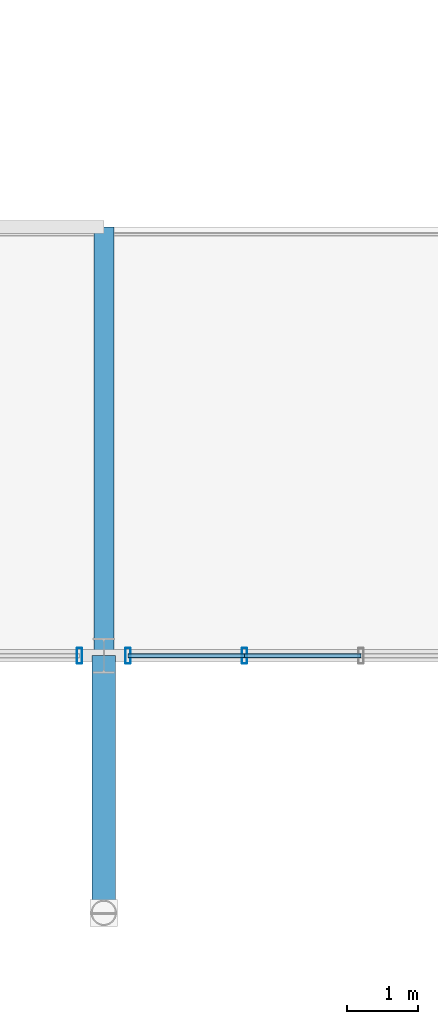
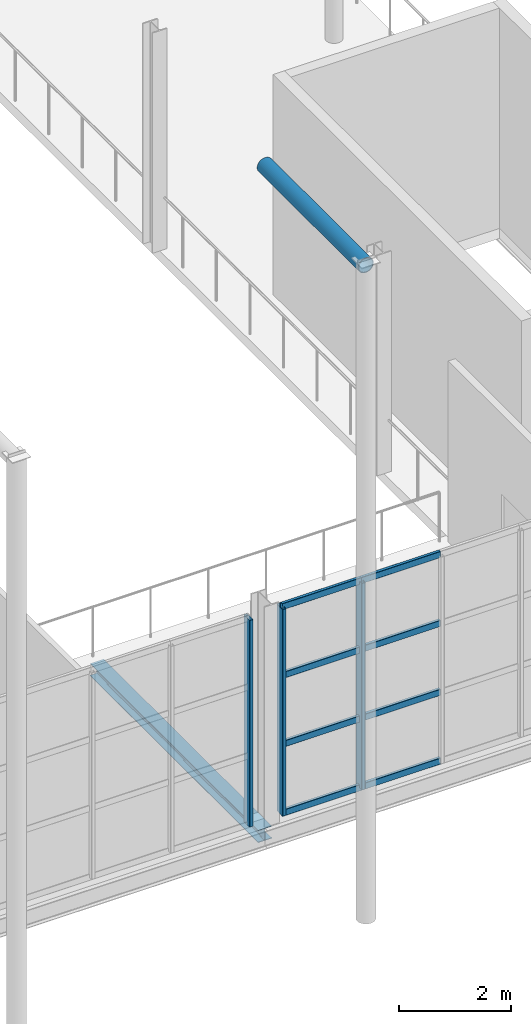
# One storey, part 32 of 143: 11 members, 2 beams, 2 elements without a shape of their own.
"""IFC4 building model written with IfcOpenShell, lengths in metres."""

from ifc_helpers import new_model, si_unit, derived_unit, direction, frame, origin, origin_2d, place, context, subcontext, project, spatial, hollow_rectangle, hollow_circle, i_section, extrude, material, material_profile, profile_set, type_object, element, aggregate, save


model = new_model("IFC4")

# Units and contexts
model_context = context("Model", 3, precision=1e-05, world=origin(), true_north=direction((0.0, 1.0)))
body_context = subcontext(model_context, "Body", "Model", "MODEL_VIEW")
ifc_project = project(units=[si_unit("LENGTHUNIT", "METRE"), si_unit("AREAUNIT", "SQUARE_METRE"), si_unit("VOLUMEUNIT", "CUBIC_METRE"), si_unit("PLANEANGLEUNIT", "RADIAN"), si_unit("MASSUNIT", "GRAM", prefix="KILO"), derived_unit("THERMALTRANSMITTANCEUNIT", [(si_unit("POWERUNIT", "WATT"), 1), (si_unit("LENGTHUNIT", "METRE"), -2), (si_unit("THERMODYNAMICTEMPERATUREUNIT", "KELVIN"), -1)])], contexts=[model_context])

# Site, building, storey
site_placement = place(None, origin())
site = spatial("IfcSite", under=ifc_project, at=site_placement, CompositionType="ELEMENT")
building_placement = place(site_placement, origin())
building = spatial("IfcBuilding", under=site, at=building_placement, Name="Keldorne Ridge Multi-Sports Centre", CompositionType="ELEMENT")
storey_placement = place(building_placement, frame((0.0, 0.0, 4.800048828125)))
storey = spatial("IfcBuildingStorey", under=building, at=storey_placement, Name="L01", CompositionType="ELEMENT", Elevation=4.800048828125)

# Beams
ifc_material_1 = material(Name="Steel S355", Category="steel")
ifc_material_profile_1 = material_profile(ifc_material_1, hollow_circle(Radius=0.161865234375, WallThickness=0.01611328125, at=origin_2d()), Name="CHS 323.9x16")
ifc_profile_set_1 = profile_set([ifc_material_profile_1], Name="Steel S355")
beam_type_1 = type_object("IfcBeamType", Name="BM-B-19", PredefinedType="BEAM", material=ifc_profile_set_1)
beam_1_placement = place(storey_placement, frame((70.800048828125, 9.60009765625, 14.22998046875), z_axis=(0.0, -1.0, 0.0), x_axis=(1.0, 0.0, 0.0)))
element("IfcBeam", 1, at=beam_1_placement, inside=storey, type_object=beam_type_1, Name="Colonnade eave rafter 10", PredefinedType="BEAM", context=body_context, shape_type="SweptSolid", body=[
    extrude(hollow_circle(Radius=0.161865234375, WallThickness=0.01611328125, at=origin_2d()), origin(), (0.0, 0.0, 1.0), 3.60009765625),
])
ifc_material_profile_2 = material_profile(ifc_material_1, i_section(OverallWidth=0.280029296875, OverallDepth=0.27001953125, WebThickness=0.008056640625, FlangeThickness=0.012939453125, FilletRadius=0.02392578125, at=origin_2d()), Name="HEA 280")
ifc_profile_set_2 = profile_set([ifc_material_profile_2], Name="Steel S355")
beam_type_2 = type_object("IfcBeamType", Name="BM-J-05", PredefinedType="JOIST", material=ifc_profile_set_2)
beam_2_placement = place(storey_placement, frame((70.800048828125, 9.60009765625, -0.35498046875), z_axis=(0.0, 1.0, 0.0), x_axis=(-1.0, 0.0, 0.0)))
element("IfcBeam", 2, at=beam_2_placement, inside=storey, type_object=beam_type_2, Name="L01 mezzanine cross beam 10", PredefinedType="JOIST", context=body_context, shape_type="SweptSolid", body=[
    extrude(i_section(OverallWidth=0.280029296875, OverallDepth=0.27001953125, WebThickness=0.008056640625, FlangeThickness=0.012939453125, FilletRadius=0.02392578125, at=origin_2d()), origin(), (0.0, 0.0, 1.0), 6.0),
])

# Curtain wall, member
ifc_material_2 = material(Name="Anodized aluminium", Category="aluminium")
curtain_wall_type_1 = type_object("IfcCurtainWallType", Name="CW-CW-07", PredefinedType="NOTDEFINED", material=ifc_material_2)
curtain_wall_1_placement = place(storey_placement, origin())
curtain_wall_1 = element("IfcCurtainWall", 3, at=curtain_wall_1_placement, inside=storey, type_object=curtain_wall_type_1, Name="Main Hall south mezzanine curtain wall 023", PredefinedType="NOTDEFINED")
ifc_material_profile_3 = material_profile(ifc_material_2, hollow_rectangle(XDim=0.074951171875, YDim=0.219970703125, WallThickness=0.0048828125, InnerFilletRadius=0.0048828125, OuterFilletRadius=0.010009765625, at=origin_2d()), Name="ALU MULLION 220x75x5")
ifc_profile_set_3 = profile_set([ifc_material_profile_3], Name="Anodized aluminium")
member_type_1 = type_object("IfcMemberType", Name="MEM-ML-02", PredefinedType="MULLION", material=ifc_profile_set_3)
member_1_placement = place(storey_placement, frame((70.4599609375, 9.60009765625, 0.0), z_axis=(0.0, 0.0, 1.0), x_axis=(1.0, 0.0, 0.0)))
member_1 = element("IfcMember", 4, at=member_1_placement, type_object=member_type_1, Name="CW-023 vertical mullion 5", PredefinedType="MULLION", context=body_context, shape_type="SweptSolid", body=[
    extrude(hollow_rectangle(XDim=0.074951171875, YDim=0.219970703125, WallThickness=0.0048828125, InnerFilletRadius=0.0048828125, OuterFilletRadius=0.010009765625, at=origin_2d()), origin(), (0.0, 0.0, 1.0), 4.5),
])
aggregate(curtain_wall_1, [member_1])

# Curtain wall, members
curtain_wall_type_2 = type_object("IfcCurtainWallType", Name="CW-CW-02", PredefinedType="NOTDEFINED", material=ifc_material_2)
curtain_wall_2_placement = place(storey_placement, origin())
curtain_wall_2 = element("IfcCurtainWall", 5, at=curtain_wall_2_placement, inside=storey, type_object=curtain_wall_type_2, Name="Main Hall south mezzanine curtain wall 026", PredefinedType="NOTDEFINED")
member_2_placement = place(storey_placement, frame((71.139892578125, 9.60009765625, 0.0), z_axis=(0.0, 0.0, 1.0), x_axis=(1.0, 0.0, 0.0)))
member_2 = element("IfcMember", 6, at=member_2_placement, type_object=member_type_1, Name="CW-026 vertical mullion 1", PredefinedType="MULLION", context=body_context, shape_type="SweptSolid", body=[
    extrude(hollow_rectangle(XDim=0.074951171875, YDim=0.219970703125, WallThickness=0.0048828125, InnerFilletRadius=0.0048828125, OuterFilletRadius=0.010009765625, at=origin_2d()), origin(), (0.0, 0.0, 1.0), 4.5),
])
member_3_placement = place(storey_placement, frame((72.77001953125, 9.60009765625, 0.0), z_axis=(0.0, 0.0, 1.0), x_axis=(1.0, 0.0, 0.0)))
member_3 = element("IfcMember", 7, at=member_3_placement, type_object=member_type_1, Name="CW-026 vertical mullion 2", PredefinedType="MULLION", context=body_context, shape_type="SweptSolid", body=[
    extrude(hollow_rectangle(XDim=0.074951171875, YDim=0.219970703125, WallThickness=0.0048828125, InnerFilletRadius=0.0048828125, OuterFilletRadius=0.010009765625, at=origin_2d()), origin(), (0.0, 0.0, 1.0), 4.5),
])
ifc_material_profile_4 = material_profile(ifc_material_2, hollow_rectangle(XDim=0.06494140625, YDim=0.139892578125, WallThickness=0.00439453125, InnerFilletRadius=0.00439453125, OuterFilletRadius=0.009033203125, at=origin_2d()), Name="ALU TRANSOM 140x65x4.5")
ifc_profile_set_4 = profile_set([ifc_material_profile_4], Name="Anodized aluminium")
member_type_2 = type_object("IfcMemberType", Name="MEM-TR-01", PredefinedType="USERDEFINED", material=ifc_profile_set_4)
member_4_placement = place(storey_placement, frame((71.139892578125, 9.60009765625, 0.0), z_axis=(1.0, 0.0, 0.0), x_axis=(0.0, 1.0, 0.0)))
member_4 = element("IfcMember", 8, at=member_4_placement, type_object=member_type_2, Name="CW-026 transom 1.1", ObjectType="TRANSOM", PredefinedType="USERDEFINED", context=body_context, shape_type="SweptSolid", body=[
    extrude(hollow_rectangle(XDim=0.06494140625, YDim=0.139892578125, WallThickness=0.00439453125, InnerFilletRadius=0.00439453125, OuterFilletRadius=0.009033203125, at=origin_2d()), origin(), (0.0, 0.0, 1.0), 1.630126953125),
])
member_5_placement = place(storey_placement, frame((71.139892578125, 9.60009765625, 1.5), z_axis=(1.0, 0.0, 0.0), x_axis=(0.0, 1.0, 0.0)))
member_5 = element("IfcMember", 9, at=member_5_placement, type_object=member_type_2, Name="CW-026 transom 1.2", ObjectType="TRANSOM", PredefinedType="USERDEFINED", context=body_context, shape_type="SweptSolid", body=[
    extrude(hollow_rectangle(XDim=0.06494140625, YDim=0.139892578125, WallThickness=0.00439453125, InnerFilletRadius=0.00439453125, OuterFilletRadius=0.009033203125, at=origin_2d()), origin(), (0.0, 0.0, 1.0), 1.630126953125),
])
member_6_placement = place(storey_placement, frame((71.139892578125, 9.60009765625, 3.0), z_axis=(1.0, 0.0, 0.0), x_axis=(0.0, 1.0, 0.0)))
member_6 = element("IfcMember", 10, at=member_6_placement, type_object=member_type_2, Name="CW-026 transom 1.3", ObjectType="TRANSOM", PredefinedType="USERDEFINED", context=body_context, shape_type="SweptSolid", body=[
    extrude(hollow_rectangle(XDim=0.06494140625, YDim=0.139892578125, WallThickness=0.00439453125, InnerFilletRadius=0.00439453125, OuterFilletRadius=0.009033203125, at=origin_2d()), origin(), (0.0, 0.0, 1.0), 1.630126953125),
])
member_7_placement = place(storey_placement, frame((71.139892578125, 9.60009765625, 4.5), z_axis=(1.0, 0.0, 0.0), x_axis=(0.0, 1.0, 0.0)))
member_7 = element("IfcMember", 11, at=member_7_placement, type_object=member_type_2, Name="CW-026 transom 1.4", ObjectType="TRANSOM", PredefinedType="USERDEFINED", context=body_context, shape_type="SweptSolid", body=[
    extrude(hollow_rectangle(XDim=0.06494140625, YDim=0.139892578125, WallThickness=0.00439453125, InnerFilletRadius=0.00439453125, OuterFilletRadius=0.009033203125, at=origin_2d()), origin(), (0.0, 0.0, 1.0), 1.630126953125),
])
member_8_placement = place(storey_placement, frame((72.77001953125, 9.60009765625, 0.0), z_axis=(1.0, 0.0, 0.0), x_axis=(0.0, 1.0, 0.0)))
member_8 = element("IfcMember", 12, at=member_8_placement, type_object=member_type_2, Name="CW-026 transom 2.1", ObjectType="TRANSOM", PredefinedType="USERDEFINED", context=body_context, shape_type="SweptSolid", body=[
    extrude(hollow_rectangle(XDim=0.06494140625, YDim=0.139892578125, WallThickness=0.00439453125, InnerFilletRadius=0.00439453125, OuterFilletRadius=0.009033203125, at=origin_2d()), origin(), (0.0, 0.0, 1.0), 1.6298828125),
])
member_9_placement = place(storey_placement, frame((72.77001953125, 9.60009765625, 1.5), z_axis=(1.0, 0.0, 0.0), x_axis=(0.0, 1.0, 0.0)))
member_9 = element("IfcMember", 13, at=member_9_placement, type_object=member_type_2, Name="CW-026 transom 2.2", ObjectType="TRANSOM", PredefinedType="USERDEFINED", context=body_context, shape_type="SweptSolid", body=[
    extrude(hollow_rectangle(XDim=0.06494140625, YDim=0.139892578125, WallThickness=0.00439453125, InnerFilletRadius=0.00439453125, OuterFilletRadius=0.009033203125, at=origin_2d()), origin(), (0.0, 0.0, 1.0), 1.6298828125),
])
member_10_placement = place(storey_placement, frame((72.77001953125, 9.60009765625, 3.0), z_axis=(1.0, 0.0, 0.0), x_axis=(0.0, 1.0, 0.0)))
member_10 = element("IfcMember", 14, at=member_10_placement, type_object=member_type_2, Name="CW-026 transom 2.3", ObjectType="TRANSOM", PredefinedType="USERDEFINED", context=body_context, shape_type="SweptSolid", body=[
    extrude(hollow_rectangle(XDim=0.06494140625, YDim=0.139892578125, WallThickness=0.00439453125, InnerFilletRadius=0.00439453125, OuterFilletRadius=0.009033203125, at=origin_2d()), origin(), (0.0, 0.0, 1.0), 1.6298828125),
])
member_11_placement = place(storey_placement, frame((72.77001953125, 9.60009765625, 4.5), z_axis=(1.0, 0.0, 0.0), x_axis=(0.0, 1.0, 0.0)))
member_11 = element("IfcMember", 15, at=member_11_placement, type_object=member_type_2, Name="CW-026 transom 2.4", ObjectType="TRANSOM", PredefinedType="USERDEFINED", context=body_context, shape_type="SweptSolid", body=[
    extrude(hollow_rectangle(XDim=0.06494140625, YDim=0.139892578125, WallThickness=0.00439453125, InnerFilletRadius=0.00439453125, OuterFilletRadius=0.009033203125, at=origin_2d()), origin(), (0.0, 0.0, 1.0), 1.6298828125),
])
aggregate(curtain_wall_2, [member_2, member_3, member_4, member_5, member_6, member_7, member_8, member_9, member_10, member_11])

save(model, "model.ifc")
